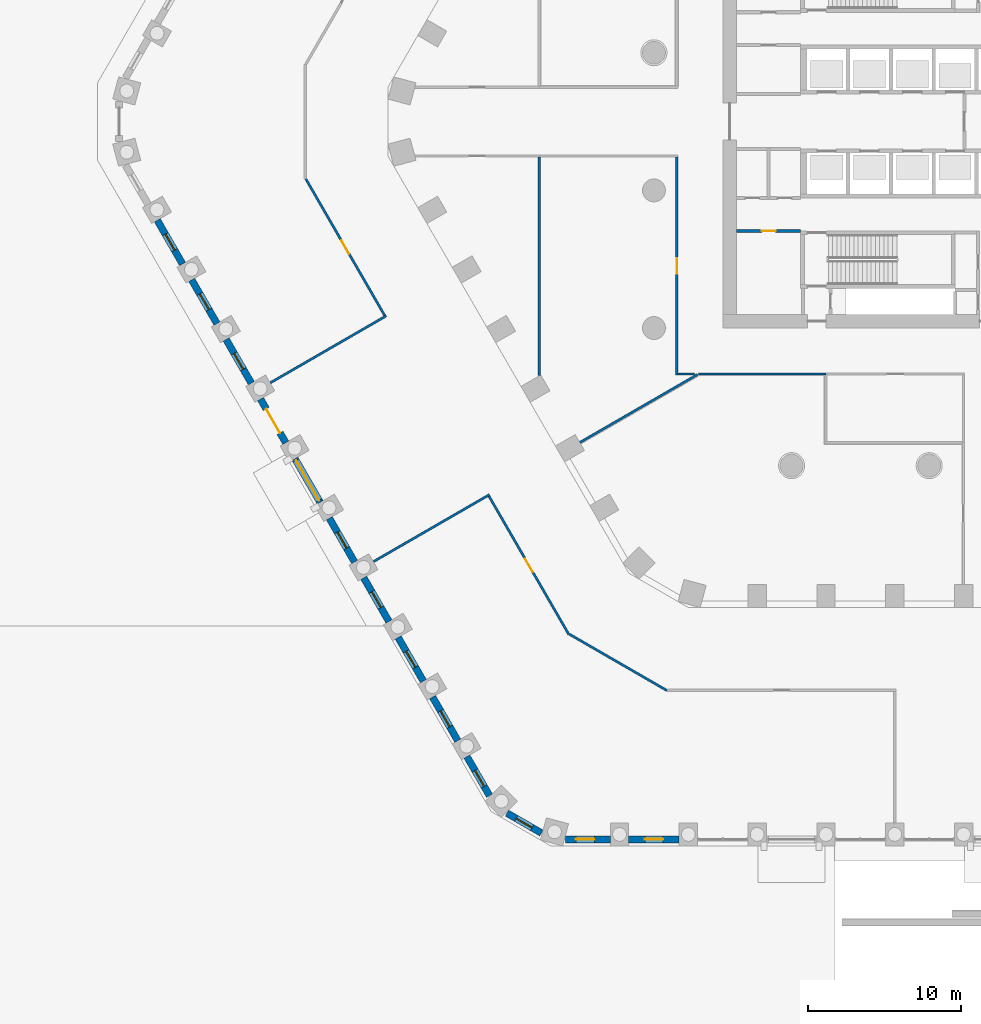
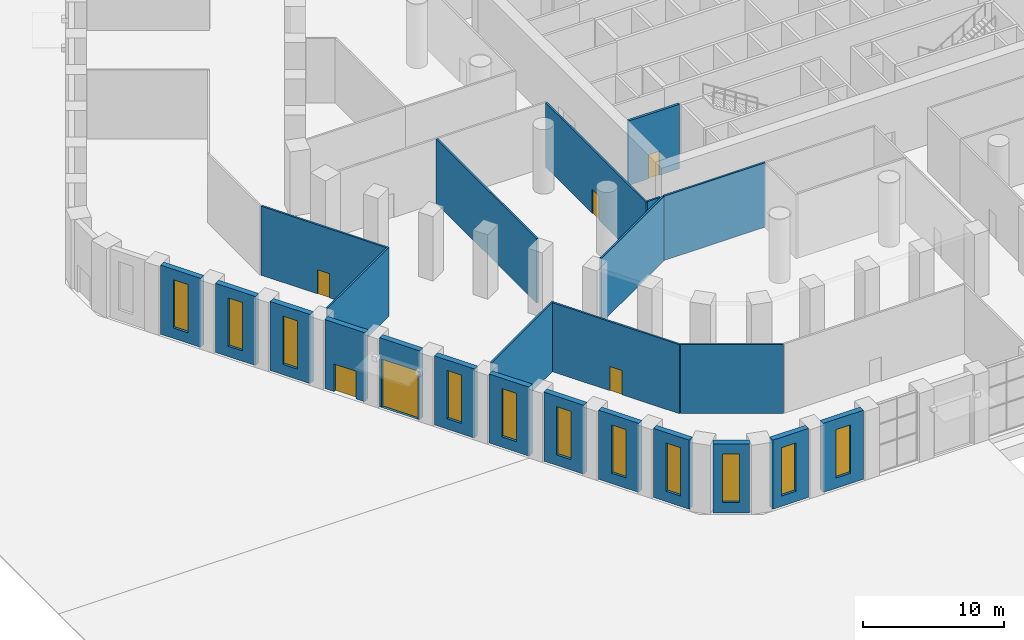
# One storey, part 14 of 44: 24 walls, 11 windows, 6 doors, 17 openings.
"""IFC4 building model written with IfcOpenShell, lengths in metres."""

import ifcopenshell
import ifcopenshell.guid

model = None  # the IFC model being written
_history = None  # IfcOwnerHistory: only IFC2X3 demands one
_inside = {}  # id of a spatial element -> (the spatial element, [elements in it])
_under = {}  # id of a project, library or spatial element -> (it, [spatial elements below it])
_declared = {}  # id of a project -> (the project, [libraries it declares])
_typed = {}  # id of a type object -> (the type object, [elements of that type])
_made_of = {}  # id of a material, layer set ... -> (it, [elements and type objects made of it])


def new_model(schema):
    """Start an empty IFC model of exactly this schema.

    Asked for "IFC4X3", IfcOpenShell would pick the latest addendum, in which some entities
    have other attributes; the version numbers below select the first issue.
    IFC2X3 requires an IfcOwnerHistory on every rooted entity: one is made here for all.
    """
    global model, _history
    if schema == "IFC4X3":
        model = ifcopenshell.file(schema_version=(4, 3, 0, 0))
    else:
        model = ifcopenshell.file(schema=schema)
    _inside.clear()
    _under.clear()
    _declared.clear()
    _typed.clear()
    _made_of.clear()
    _history = None
    if model.schema == "IFC2X3":
        org = make("IfcOrganization", Name="unknown")
        user = make(
            "IfcPersonAndOrganization",
            ThePerson=make("IfcPerson", FamilyName="unknown"),
            TheOrganization=org,
        )
        app = make(
            "IfcApplication",
            ApplicationDeveloper=org,
            Version="unknown",
            ApplicationFullName="unknown",
            ApplicationIdentifier="unknown",
        )
        _history = make(
            "IfcOwnerHistory",
            OwningUser=user,
            OwningApplication=app,
            ChangeAction="ADDED",
            CreationDate=0,
        )
    return model


def make(cls, **values):
    """One entity of the class cls with the attributes given. An attribute that is None is left unset."""
    return model.create_entity(
        cls, **{name: value for name, value in values.items() if value is not None}
    )


def rooted(cls, **values):
    """An entity with a GlobalId (a new one), such as an element, a storey or a relation."""
    return make(cls, GlobalId=ifcopenshell.guid.new(), OwnerHistory=_history, **values)


def si_unit(unit_type, name, prefix=None):
    """IfcSIUnit, for example si_unit("LENGTHUNIT", "METRE", prefix="MILLI")."""
    return make("IfcSIUnit", UnitType=unit_type, Prefix=prefix, Name=name)


def assignment(units):
    """IfcUnitAssignment: the units of a project."""
    return None if units is None else make("IfcUnitAssignment", Units=units)


def point(xyz):
    """IfcCartesianPoint."""
    return None if xyz is None else make("IfcCartesianPoint", Coordinates=xyz)


def direction(xyz):
    """IfcDirection."""
    return None if xyz is None else make("IfcDirection", DirectionRatios=xyz)


def frame(location, z_axis=None, x_axis=None):
    """IfcAxis2Placement3D, a coordinate frame: its origin and axes. An axis left out is left unset."""
    return make(
        "IfcAxis2Placement3D",
        Location=point(location),
        Axis=direction(z_axis),
        RefDirection=direction(x_axis),
    )


def frame_2d(location, x_axis=None):
    """IfcAxis2Placement2D, a coordinate frame in the plane: its origin and x axis."""
    return make(
        "IfcAxis2Placement2D", Location=point(location), RefDirection=direction(x_axis)
    )


def origin():
    """The frame at (0, 0, 0) with its axes left unset."""
    return frame((0.0, 0.0, 0.0))


def place(relative_to, where):
    """IfcLocalPlacement: puts the frame where relative to a parent placement (None: the world)."""
    return make(
        "IfcLocalPlacement", PlacementRelTo=relative_to, RelativePlacement=where
    )


def context(
    kind, dimensions, precision=None, world=None, true_north=None, identifier=None
):
    """IfcGeometricRepresentationContext, for example the 3D "Model" context."""
    return make(
        "IfcGeometricRepresentationContext",
        ContextIdentifier=identifier,
        ContextType=kind,
        CoordinateSpaceDimension=dimensions,
        Precision=precision,
        WorldCoordinateSystem=world,
        TrueNorth=true_north,
    )


def subcontext(parent, identifier, kind, view, scale=None):
    """IfcGeometricRepresentationSubContext, for example "Body" below "Model"."""
    return make(
        "IfcGeometricRepresentationSubContext",
        ContextIdentifier=identifier,
        ContextType=kind,
        ParentContext=parent,
        TargetScale=scale,
        TargetView=view,
    )


def project(units=None, contexts=None):
    """IfcProject with its units and contexts."""
    return rooted(
        "IfcProject",
        Name="project",
        RepresentationContexts=contexts,
        UnitsInContext=assignment(units),
    )


def spatial(cls, under=None, at=None, **own):
    """A site, building, storey or space (cls), placed at a placement, below another one or the project."""
    s = rooted(cls, ObjectPlacement=at, **own)
    if under is not None:
        _under.setdefault(under.id(), (under, []))[1].append(s)
    return s


def profile(cls, at=None, kind="AREA", **sizes):
    """A parametric profile (cls). Its sizes go by their IFC names, for example OverallWidth=200.0."""
    return make(cls, ProfileType=kind, Position=at, **sizes)


def rectangle(**sizes):
    """IfcRectangleProfileDef."""
    return profile("IfcRectangleProfileDef", **sizes)


def extrude(swept, where, along, depth):
    """IfcExtrudedAreaSolid: the profile swept, set in the frame where, extruded along a direction by depth."""
    return make(
        "IfcExtrudedAreaSolid",
        SweptArea=swept,
        Position=where,
        ExtrudedDirection=direction(along),
        Depth=depth,
    )


def shape(context_of_items, identifier, shape_type, items):
    """IfcShapeRepresentation: the items that make up one representation, for example the "Body"."""
    return make(
        "IfcShapeRepresentation",
        ContextOfItems=context_of_items,
        RepresentationIdentifier=identifier,
        RepresentationType=shape_type,
        Items=items,
    )


def material(Name=None, Category=None):
    """IfcMaterial."""
    return make("IfcMaterial", Name=Name, Category=Category)


def layer(
    of_material, thickness, ventilated=None, Name=None, Category=None, Priority=None
):
    """IfcMaterialLayer: one layer of a wall or slab, of a material (None: an air gap)."""
    return make(
        "IfcMaterialLayer",
        Material=of_material,
        LayerThickness=thickness,
        IsVentilated=ventilated,
        Name=Name,
        Category=Category,
        Priority=Priority,
    )


def layer_set(layers, Name=None):
    """IfcMaterialLayerSet."""
    return make("IfcMaterialLayerSet", MaterialLayers=layers, LayerSetName=Name)


def made_of(thing, what):
    """Note that an element or type object is made of a material, layer set ...; save() writes the relation."""
    if what is not None:
        _made_of.setdefault(what.id(), (what, []))[1].append(thing)
    return thing


def type_object(cls, material=None, **own):
    """A type object (cls), such as IfcWallType, which elements share."""
    return made_of(rooted(cls, **own), material)


def element(
    cls,
    number,
    at=None,
    inside=None,
    cuts=None,
    type_object=None,
    material=None,
    context=None,
    identifier="Body",
    shape_type=None,
    held_by="IfcProductDefinitionShape",
    body=None,
    shapes=None,
    **own,
):
    """One element of the class cls, such as IfcWall. Its Tag is "e" and its number.

    at: its placement. inside: the storey or other place that contains it. cuts: it is an
    opening in that element (IfcRelVoidsElement). A single representation is given by context,
    identifier, shape_type and body (its items); several are given by shapes. held_by: the class
    of the entity that holds the representations. save() writes the other relations.
    """
    e = rooted(cls, Tag="e%d" % number, ObjectPlacement=at, **own)
    if body is not None:
        shapes = [shape(context, identifier, shape_type, body)]
    if shapes is not None:
        e.Representation = make(held_by, Representations=shapes)
    if inside is not None:
        _inside.setdefault(inside.id(), (inside, []))[1].append(e)
    if cuts is not None:
        rooted(
            "IfcRelVoidsElement", RelatingBuildingElement=cuts, RelatedOpeningElement=e
        )
    if type_object is not None:
        _typed.setdefault(type_object.id(), (type_object, []))[1].append(e)
    return made_of(e, material)


def fill(opening, filler):
    """IfcRelFillsElement: the door or window that sits in an opening."""
    return rooted(
        "IfcRelFillsElement",
        RelatingOpeningElement=opening,
        RelatedBuildingElement=filler,
    )


def aggregate(whole, parts):
    """IfcRelAggregates: a whole, such as a stair, and the parts it consists of."""
    return rooted("IfcRelAggregates", RelatingObject=whole, RelatedObjects=parts)


def save(model, path):
    """Write the relations noted so far, then the file.

    IfcRelAggregates (storeys below a building ...), IfcRelContainedInSpatialStructure (elements
    in a storey), IfcRelDefinesByType, IfcRelAssociatesMaterial and IfcRelDeclares: one each for
    every whole, place, type object, material and project.
    """
    for whole, parts in _under.values():
        aggregate(whole, parts)
    for where, things in _inside.values():
        rooted(
            "IfcRelContainedInSpatialStructure",
            RelatedElements=things,
            RelatingStructure=where,
        )
    for kind, things in _typed.values():
        rooted("IfcRelDefinesByType", RelatedObjects=things, RelatingType=kind)
    for what, things in _made_of.values():
        rooted("IfcRelAssociatesMaterial", RelatedObjects=things, RelatingMaterial=what)
    for by, libraries in _declared.values():
        rooted("IfcRelDeclares", RelatingContext=by, RelatedDefinitions=libraries)
    model.write(path)


model = new_model("IFC4")

# Units and contexts
model_context = context("Model", 3, precision=1e-05, world=origin(), true_north=direction((0.0, 1.0)))
body_context = subcontext(model_context, "Body", "Model", "MODEL_VIEW")
ifc_project = project(units=[si_unit("LENGTHUNIT", "METRE"), si_unit("AREAUNIT", "SQUARE_METRE"), si_unit("VOLUMEUNIT", "CUBIC_METRE"), si_unit("PLANEANGLEUNIT", "RADIAN"), si_unit("MASSUNIT", "GRAM", prefix="KILO")], contexts=[model_context])

# Site, building, storey
site_placement = place(None, origin())
site = spatial("IfcSite", under=ifc_project, at=site_placement, CompositionType="ELEMENT")
building_placement = place(site_placement, origin())
building = spatial("IfcBuilding", under=site, at=building_placement, Name="Dhurran Vertical Campus", CompositionType="ELEMENT")
storey_placement = place(building_placement, origin())
storey = spatial("IfcBuildingStorey", under=building, at=storey_placement, Name="L00", CompositionType="ELEMENT", Elevation=0.0)

# Wall, opening, window
ifc_material_1 = material(Name="Precast concrete C50/60", Category="concrete")
ifc_layer_1 = layer(ifc_material_1, 0.449951171875)
ifc_layer_set_1 = layer_set([ifc_layer_1], Name="Precast concrete C50/60")
wall_type_1 = type_object("IfcWallType", Name="Precast base wall 450", PredefinedType="SOLIDWALL", material=ifc_layer_set_1)
wall_1_placement = place(storey_placement, frame((-28.299072265625, -46.943359375, 0.0), z_axis=(0.0, 0.0, 1.0), x_axis=(1.0, 0.0, 0.0)))
wall_1 = element("IfcWall", 1, at=wall_1_placement, inside=storey, type_object=wall_type_1, Name="EW2 L00.00", PredefinedType="SOLIDWALL", context=body_context, shape_type="SweptSolid", body=[
    extrude(rectangle(XDim=2.948486328125, YDim=0.449951171875, at=frame_2d((1.47412109375, 0.0))), origin(), (0.0, 0.0, 1.0), 6.0),
])
opening_1_placement = place(wall_1_placement, frame((0.69921875, 0.0, 0.89990234375)))
opening_1 = element("IfcOpeningElement", 2, at=opening_1_placement, cuts=wall_1, Name="Opening WT5", PredefinedType="OPENING", context=body_context, shape_type="SweptSolid", body=[
    extrude(rectangle(XDim=1.199951171875, YDim=4.199951171875, at=frame_2d((0.60009765625, 2.10009765625))), frame((0.0, 0.23486328125, 0.0), z_axis=(0.0, -1.0, 0.0), x_axis=(1.0, 0.0, 0.0)), (0.0, 0.0, 1.0), 0.469970703125),
])
ifc_material_2 = material(Name="Aluminium frame with solar-control glass", Category="aluminium")
window_type = type_object("IfcWindowType", Name="Ring slot window 1200 x 4200", PartitioningType="SINGLE_PANEL", PredefinedType="WINDOW", material=ifc_material_2)
window_1_placement = place(opening_1_placement, origin())
window_1 = element("IfcWindow", 3, at=window_1_placement, inside=storey, type_object=window_type, Name="WT5 L00.00", OverallHeight=4.199951171875, OverallWidth=1.199951171875, PartitioningType="SINGLE_PANEL", PredefinedType="WINDOW", context=body_context, shape_type="SweptSolid", body=[
    extrude(rectangle(XDim=1.199951171875, YDim=4.199951171875, at=frame_2d((0.60009765625, 2.10009765625))), frame((0.0, 0.030029296875, 0.0), z_axis=(0.0, -1.0, 0.0), x_axis=(1.0, 0.0, 0.0)), (0.0, 0.0, 1.0), 0.06005859375),
])
fill(opening_1, window_1)

wall_2_placement = place(storey_placement, frame((-24.1494140625, -46.943359375, 0.0), z_axis=(0.0, 0.0, 1.0), x_axis=(1.0, 0.0, 0.0)))
wall_2 = element("IfcWall", 4, at=wall_2_placement, inside=storey, type_object=wall_type_1, Name="EW2 L00.01", PredefinedType="SOLIDWALL", context=body_context, shape_type="SweptSolid", body=[
    extrude(rectangle(XDim=3.298828125, YDim=0.449951171875, at=frame_2d((1.6494140625, 0.0))), origin(), (0.0, 0.0, 1.0), 6.0),
])
opening_2_placement = place(wall_2_placement, frame((1.049560546875, 0.0, 0.89990234375)))
opening_2 = element("IfcOpeningElement", 5, at=opening_2_placement, cuts=wall_2, Name="Opening WT5", PredefinedType="OPENING", context=body_context, shape_type="SweptSolid", body=[
    extrude(rectangle(XDim=1.199951171875, YDim=4.199951171875, at=frame_2d((0.60009765625, 2.10009765625))), frame((0.0, 0.23486328125, 0.0), z_axis=(0.0, -1.0, 0.0), x_axis=(1.0, 0.0, 0.0)), (0.0, 0.0, 1.0), 0.469970703125),
])
window_2_placement = place(opening_2_placement, origin())
window_2 = element("IfcWindow", 6, at=window_2_placement, inside=storey, type_object=window_type, Name="WT5 L00.01", OverallHeight=4.199951171875, OverallWidth=1.199951171875, PartitioningType="SINGLE_PANEL", PredefinedType="WINDOW", context=body_context, shape_type="SweptSolid", body=[
    extrude(rectangle(XDim=1.199951171875, YDim=4.199951171875, at=frame_2d((0.60009765625, 2.10009765625))), frame((0.0, 0.030029296875, 0.0), z_axis=(0.0, -1.0, 0.0), x_axis=(1.0, 0.0, 0.0)), (0.0, 0.0, 1.0), 0.06005859375),
])
fill(opening_2, window_2)

wall_3_placement = place(storey_placement, frame((-54.978759765625, -6.45458984375, 0.0), z_axis=(0.0, 0.0, 1.0), x_axis=(0.49995947208, -0.866048801325, 0.0)))
wall_3 = element("IfcWall", 7, at=wall_3_placement, inside=storey, type_object=wall_type_1, Name="EW2 L00.65", PredefinedType="SOLIDWALL", context=body_context, shape_type="SweptSolid", body=[
    extrude(rectangle(XDim=3.299072265625, YDim=0.449951171875, at=frame_2d((1.6494140625, 0.0))), origin(), (0.0, 0.0, 1.0), 6.0),
])
opening_3_placement = place(wall_3_placement, frame((1.049560546875, 0.0, 0.89990234375)))
opening_3 = element("IfcOpeningElement", 8, at=opening_3_placement, cuts=wall_3, Name="Opening WT5", PredefinedType="OPENING", context=body_context, shape_type="SweptSolid", body=[
    extrude(rectangle(XDim=1.199951171875, YDim=4.199951171875, at=frame_2d((0.60009765625, 2.10009765625))), frame((0.0, 0.23486328125, 0.0), z_axis=(0.0, -1.0, 0.0), x_axis=(1.0, 0.0, 0.0)), (0.0, 0.0, 1.0), 0.469970703125),
])
window_3_placement = place(opening_3_placement, origin())
window_3 = element("IfcWindow", 9, at=window_3_placement, inside=storey, type_object=window_type, Name="WT5 L00.65", OverallHeight=4.199951171875, OverallWidth=1.199951171875, PartitioningType="SINGLE_PANEL", PredefinedType="WINDOW", context=body_context, shape_type="SweptSolid", body=[
    extrude(rectangle(XDim=1.199951171875, YDim=4.199951171875, at=frame_2d((0.60009765625, 2.10009765625))), frame((0.0, 0.030029296875, 0.0), z_axis=(0.0, -1.0, 0.0), x_axis=(1.0, 0.0, 0.0)), (0.0, 0.0, 1.0), 0.06005859375),
])
fill(opening_3, window_3)

wall_4_placement = place(storey_placement, frame((-52.728759765625, -10.351806640625, 0.0), z_axis=(0.0, 0.0, 1.0), x_axis=(0.499991515992, -0.866030301974, 0.0)))
wall_4 = element("IfcWall", 10, at=wall_4_placement, inside=storey, type_object=wall_type_1, Name="EW2 L00.66", PredefinedType="SOLIDWALL", context=body_context, shape_type="SweptSolid", body=[
    extrude(rectangle(XDim=3.298828125, YDim=0.449951171875, at=frame_2d((1.6494140625, 0.0))), origin(), (0.0, 0.0, 1.0), 6.0),
])
opening_4_placement = place(wall_4_placement, frame((1.049560546875, 0.0, 0.89990234375)))
opening_4 = element("IfcOpeningElement", 11, at=opening_4_placement, cuts=wall_4, Name="Opening WT5", PredefinedType="OPENING", context=body_context, shape_type="SweptSolid", body=[
    extrude(rectangle(XDim=1.199951171875, YDim=4.199951171875, at=frame_2d((0.60009765625, 2.10009765625))), frame((0.0, 0.23486328125, 0.0), z_axis=(0.0, -1.0, 0.0), x_axis=(1.0, 0.0, 0.0)), (0.0, 0.0, 1.0), 0.469970703125),
])
window_4_placement = place(opening_4_placement, origin())
window_4 = element("IfcWindow", 12, at=window_4_placement, inside=storey, type_object=window_type, Name="WT5 L00.66", OverallHeight=4.199951171875, OverallWidth=1.199951171875, PartitioningType="SINGLE_PANEL", PredefinedType="WINDOW", context=body_context, shape_type="SweptSolid", body=[
    extrude(rectangle(XDim=1.199951171875, YDim=4.199951171875, at=frame_2d((0.60009765625, 2.10009765625))), frame((0.0, 0.030029296875, 0.0), z_axis=(0.0, -1.0, 0.0), x_axis=(1.0, 0.0, 0.0)), (0.0, 0.0, 1.0), 0.06005859375),
])
fill(opening_4, window_4)

wall_5_placement = place(storey_placement, frame((-50.478759765625, -14.248779296875, 0.0), z_axis=(0.0, 0.0, 1.0), x_axis=(0.49995947208, -0.866048801325, 0.0)))
wall_5 = element("IfcWall", 13, at=wall_5_placement, inside=storey, type_object=wall_type_1, Name="EW2 L00.67", PredefinedType="SOLIDWALL", context=body_context, shape_type="SweptSolid", body=[
    extrude(rectangle(XDim=3.299072265625, YDim=0.449951171875, at=frame_2d((1.6494140625, 0.0))), origin(), (0.0, 0.0, 1.0), 6.0),
])
opening_5_placement = place(wall_5_placement, frame((1.049560546875, 0.0, 0.89990234375)))
opening_5 = element("IfcOpeningElement", 14, at=opening_5_placement, cuts=wall_5, Name="Opening WT5", PredefinedType="OPENING", context=body_context, shape_type="SweptSolid", body=[
    extrude(rectangle(XDim=1.199951171875, YDim=4.199951171875, at=frame_2d((0.60009765625, 2.10009765625))), frame((0.0, 0.23486328125, 0.0), z_axis=(0.0, -1.0, 0.0), x_axis=(1.0, 0.0, 0.0)), (0.0, 0.0, 1.0), 0.469970703125),
])
window_5_placement = place(opening_5_placement, origin())
window_5 = element("IfcWindow", 15, at=window_5_placement, inside=storey, type_object=window_type, Name="WT5 L00.67", OverallHeight=4.199951171875, OverallWidth=1.199951171875, PartitioningType="SINGLE_PANEL", PredefinedType="WINDOW", context=body_context, shape_type="SweptSolid", body=[
    extrude(rectangle(XDim=1.199951171875, YDim=4.199951171875, at=frame_2d((0.60009765625, 2.10009765625))), frame((0.0, 0.030029296875, 0.0), z_axis=(0.0, -1.0, 0.0), x_axis=(1.0, 0.0, 0.0)), (0.0, 0.0, 1.0), 0.06005859375),
])
fill(opening_5, window_5)

# Wall, opening, door
wall_6_placement = place(storey_placement, frame((-46.579345703125, -21.0029296875, 0.0), z_axis=(0.0, 0.0, 1.0), x_axis=(-0.499991515992, 0.866030301974, 0.0)))
wall_6 = element("IfcWall", 16, at=wall_6_placement, inside=storey, type_object=wall_type_1, Name="EW2 L00.68", PredefinedType="SOLIDWALL", context=body_context, shape_type="SweptSolid", body=[
    extrude(rectangle(XDim=3.298828125, YDim=0.449951171875, at=frame_2d((1.6494140625, 0.0))), origin(), (0.0, 0.0, 1.0), 6.0),
])
opening_6_placement = place(wall_6_placement, frame((0.74951171875, 0.0, 0.0)))
opening_6 = element("IfcOpeningElement", 17, at=opening_6_placement, cuts=wall_6, Name="Opening D010", PredefinedType="OPENING", context=body_context, shape_type="SweptSolid", body=[
    extrude(rectangle(XDim=1.800048828125, YDim=2.39990234375, at=frame_2d((0.89990234375, 1.199951171875))), frame((0.0, 0.23486328125, 0.0), z_axis=(0.0, -1.0, 0.0), x_axis=(1.0, 0.0, 0.0)), (0.0, 0.0, 1.0), 0.469970703125),
])
ifc_material_3 = material(Name="Steel, fire-rated", Category="steel")
door_type_1 = type_object("IfcDoorType", Name="Steel fire exit door pair 1800 x 2400", OperationType="DOUBLE_DOOR_SINGLE_SWING", PredefinedType="DOOR", material=ifc_material_3)
door_1_placement = place(opening_6_placement, origin())
door_1 = element("IfcDoor", 18, at=door_1_placement, inside=storey, type_object=door_type_1, Name="D010 stair exit discharge", OperationType="DOUBLE_DOOR_SINGLE_SWING", OverallHeight=2.39990234375, OverallWidth=1.800048828125, PredefinedType="DOOR", context=body_context, shape_type="SweptSolid", body=[
    extrude(rectangle(XDim=1.800048828125, YDim=2.39990234375, at=frame_2d((0.89990234375, 1.199951171875))), frame((0.0, 0.02490234375, 0.0), z_axis=(0.0, -1.0, 0.0), x_axis=(1.0, 0.0, 0.0)), (0.0, 0.0, 1.0), 0.050048828125),
])
fill(opening_6, door_1)

wall_7_placement = place(storey_placement, frame((-44.329345703125, -24.900146484375, 0.0), z_axis=(0.0, 0.0, 1.0), x_axis=(-0.499991515992, 0.866030301974, 0.0)))
wall_7 = element("IfcWall", 19, at=wall_7_placement, inside=storey, type_object=wall_type_1, Name="EW2 L00.69", PredefinedType="SOLIDWALL", context=body_context, shape_type="SweptSolid", body=[
    extrude(rectangle(XDim=3.298828125, YDim=0.449951171875, at=frame_2d((1.6494140625, 0.0))), origin(), (0.0, 0.0, 1.0), 6.0),
])
opening_7_placement = place(wall_7_placement, frame((0.1494140625, 0.0, 0.0)))
opening_7 = element("IfcOpeningElement", 20, at=opening_7_placement, cuts=wall_7, Name="Opening D013", PredefinedType="OPENING", context=body_context, shape_type="SweptSolid", body=[
    extrude(rectangle(XDim=3.0, YDim=4.199951171875, at=frame_2d((1.5, 2.10009765625))), frame((0.0, 0.23486328125, 0.0), z_axis=(0.0, -1.0, 0.0), x_axis=(1.0, 0.0, 0.0)), (0.0, 0.0, 1.0), 0.469970703125),
])
ifc_material_4 = material(Name="Aluminium and clear glass", Category="aluminium")
door_type_2 = type_object("IfcDoorType", Name="Aluminium and glass entrance portal door pair 3000 x 4200", OperationType="DOUBLE_DOOR_SINGLE_SWING", PredefinedType="DOOR", material=ifc_material_4)
door_2_placement = place(opening_7_placement, origin())
door_2 = element("IfcDoor", 21, at=door_2_placement, inside=storey, type_object=door_type_2, Name="D013 south-west lobby entrance", OperationType="DOUBLE_DOOR_SINGLE_SWING", OverallHeight=4.199951171875, OverallWidth=3.0, PredefinedType="DOOR", context=body_context, shape_type="SweptSolid", body=[
    extrude(rectangle(XDim=3.0, YDim=4.199951171875, at=frame_2d((1.5, 2.10009765625))), frame((0.0, 0.02490234375, 0.0), z_axis=(0.0, -1.0, 0.0), x_axis=(1.0, 0.0, 0.0)), (0.0, 0.0, 1.0), 0.050048828125),
])
fill(opening_7, door_2)

# Wall, opening, window
wall_8_placement = place(storey_placement, frame((-43.728759765625, -25.940185546875, 0.0), z_axis=(0.0, 0.0, 1.0), x_axis=(0.49995947208, -0.866048801325, 0.0)))
wall_8 = element("IfcWall", 22, at=wall_8_placement, inside=storey, type_object=wall_type_1, Name="EW2 L00.70", PredefinedType="SOLIDWALL", context=body_context, shape_type="SweptSolid", body=[
    extrude(rectangle(XDim=3.299072265625, YDim=0.449951171875, at=frame_2d((1.6494140625, 0.0))), origin(), (0.0, 0.0, 1.0), 6.0),
])
opening_8_placement = place(wall_8_placement, frame((1.049560546875, 0.0, 0.89990234375)))
opening_8 = element("IfcOpeningElement", 23, at=opening_8_placement, cuts=wall_8, Name="Opening WT5", PredefinedType="OPENING", context=body_context, shape_type="SweptSolid", body=[
    extrude(rectangle(XDim=1.199951171875, YDim=4.199951171875, at=frame_2d((0.60009765625, 2.10009765625))), frame((0.0, 0.23486328125, 0.0), z_axis=(0.0, -1.0, 0.0), x_axis=(1.0, 0.0, 0.0)), (0.0, 0.0, 1.0), 0.469970703125),
])
window_6_placement = place(opening_8_placement, origin())
window_6 = element("IfcWindow", 24, at=window_6_placement, inside=storey, type_object=window_type, Name="WT5 L00.70", OverallHeight=4.199951171875, OverallWidth=1.199951171875, PartitioningType="SINGLE_PANEL", PredefinedType="WINDOW", context=body_context, shape_type="SweptSolid", body=[
    extrude(rectangle(XDim=1.199951171875, YDim=4.199951171875, at=frame_2d((0.60009765625, 2.10009765625))), frame((0.0, 0.030029296875, 0.0), z_axis=(0.0, -1.0, 0.0), x_axis=(1.0, 0.0, 0.0)), (0.0, 0.0, 1.0), 0.06005859375),
])
fill(opening_8, window_6)

wall_9_placement = place(storey_placement, frame((-41.478759765625, -29.83740234375, 0.0), z_axis=(0.0, 0.0, 1.0), x_axis=(0.499991515992, -0.866030301974, 0.0)))
wall_9 = element("IfcWall", 25, at=wall_9_placement, inside=storey, type_object=wall_type_1, Name="EW2 L00.71", PredefinedType="SOLIDWALL", context=body_context, shape_type="SweptSolid", body=[
    extrude(rectangle(XDim=3.298828125, YDim=0.449951171875, at=frame_2d((1.6494140625, 0.0))), origin(), (0.0, 0.0, 1.0), 6.0),
])
opening_9_placement = place(wall_9_placement, frame((1.049560546875, 0.0, 0.89990234375)))
opening_9 = element("IfcOpeningElement", 26, at=opening_9_placement, cuts=wall_9, Name="Opening WT5", PredefinedType="OPENING", context=body_context, shape_type="SweptSolid", body=[
    extrude(rectangle(XDim=1.199951171875, YDim=4.199951171875, at=frame_2d((0.60009765625, 2.10009765625))), frame((0.0, 0.23486328125, 0.0), z_axis=(0.0, -1.0, 0.0), x_axis=(1.0, 0.0, 0.0)), (0.0, 0.0, 1.0), 0.469970703125),
])
window_7_placement = place(opening_9_placement, origin())
window_7 = element("IfcWindow", 27, at=window_7_placement, inside=storey, type_object=window_type, Name="WT5 L00.71", OverallHeight=4.199951171875, OverallWidth=1.199951171875, PartitioningType="SINGLE_PANEL", PredefinedType="WINDOW", context=body_context, shape_type="SweptSolid", body=[
    extrude(rectangle(XDim=1.199951171875, YDim=4.199951171875, at=frame_2d((0.60009765625, 2.10009765625))), frame((0.0, 0.030029296875, 0.0), z_axis=(0.0, -1.0, 0.0), x_axis=(1.0, 0.0, 0.0)), (0.0, 0.0, 1.0), 0.06005859375),
])
fill(opening_9, window_7)

wall_10_placement = place(storey_placement, frame((-39.228759765625, -33.734619140625, 0.0), z_axis=(0.0, 0.0, 1.0), x_axis=(0.499991515992, -0.866030301974, 0.0)))
wall_10 = element("IfcWall", 28, at=wall_10_placement, inside=storey, type_object=wall_type_1, Name="EW2 L00.72", PredefinedType="SOLIDWALL", context=body_context, shape_type="SweptSolid", body=[
    extrude(rectangle(XDim=3.298828125, YDim=0.449951171875, at=frame_2d((1.6494140625, 0.0))), origin(), (0.0, 0.0, 1.0), 6.0),
])
opening_10_placement = place(wall_10_placement, frame((1.049560546875, 0.0, 0.89990234375)))
opening_10 = element("IfcOpeningElement", 29, at=opening_10_placement, cuts=wall_10, Name="Opening WT5", PredefinedType="OPENING", context=body_context, shape_type="SweptSolid", body=[
    extrude(rectangle(XDim=1.199951171875, YDim=4.199951171875, at=frame_2d((0.60009765625, 2.10009765625))), frame((0.0, 0.23486328125, 0.0), z_axis=(0.0, -1.0, 0.0), x_axis=(1.0, 0.0, 0.0)), (0.0, 0.0, 1.0), 0.469970703125),
])
window_8_placement = place(opening_10_placement, origin())
window_8 = element("IfcWindow", 30, at=window_8_placement, inside=storey, type_object=window_type, Name="WT5 L00.72", OverallHeight=4.199951171875, OverallWidth=1.199951171875, PartitioningType="SINGLE_PANEL", PredefinedType="WINDOW", context=body_context, shape_type="SweptSolid", body=[
    extrude(rectangle(XDim=1.199951171875, YDim=4.199951171875, at=frame_2d((0.60009765625, 2.10009765625))), frame((0.0, 0.030029296875, 0.0), z_axis=(0.0, -1.0, 0.0), x_axis=(1.0, 0.0, 0.0)), (0.0, 0.0, 1.0), 0.06005859375),
])
fill(opening_10, window_8)

wall_11_placement = place(storey_placement, frame((-36.978759765625, -37.631591796875, 0.0), z_axis=(0.0, 0.0, 1.0), x_axis=(0.499991515992, -0.866030301974, 0.0)))
wall_11 = element("IfcWall", 31, at=wall_11_placement, inside=storey, type_object=wall_type_1, Name="EW2 L00.73", PredefinedType="SOLIDWALL", context=body_context, shape_type="SweptSolid", body=[
    extrude(rectangle(XDim=3.298828125, YDim=0.449951171875, at=frame_2d((1.6494140625, 0.0))), origin(), (0.0, 0.0, 1.0), 6.0),
])
opening_11_placement = place(wall_11_placement, frame((1.049560546875, 0.0, 0.89990234375)))
opening_11 = element("IfcOpeningElement", 32, at=opening_11_placement, cuts=wall_11, Name="Opening WT5", PredefinedType="OPENING", context=body_context, shape_type="SweptSolid", body=[
    extrude(rectangle(XDim=1.199951171875, YDim=4.199951171875, at=frame_2d((0.60009765625, 2.10009765625))), frame((0.0, 0.23486328125, 0.0), z_axis=(0.0, -1.0, 0.0), x_axis=(1.0, 0.0, 0.0)), (0.0, 0.0, 1.0), 0.469970703125),
])
window_9_placement = place(opening_11_placement, origin())
window_9 = element("IfcWindow", 33, at=window_9_placement, inside=storey, type_object=window_type, Name="WT5 L00.73", OverallHeight=4.199951171875, OverallWidth=1.199951171875, PartitioningType="SINGLE_PANEL", PredefinedType="WINDOW", context=body_context, shape_type="SweptSolid", body=[
    extrude(rectangle(XDim=1.199951171875, YDim=4.199951171875, at=frame_2d((0.60009765625, 2.10009765625))), frame((0.0, 0.030029296875, 0.0), z_axis=(0.0, -1.0, 0.0), x_axis=(1.0, 0.0, 0.0)), (0.0, 0.0, 1.0), 0.06005859375),
])
fill(opening_11, window_9)

wall_12_placement = place(storey_placement, frame((-34.728759765625, -41.52880859375, 0.0), z_axis=(0.0, 0.0, 1.0), x_axis=(0.500030648271, -0.866007708274, 0.0)))
wall_12 = element("IfcWall", 34, at=wall_12_placement, inside=storey, type_object=wall_type_1, Name="EW2 L00.74", PredefinedType="SOLIDWALL", context=body_context, shape_type="SweptSolid", body=[
    extrude(rectangle(XDim=2.948486328125, YDim=0.449951171875, at=frame_2d((1.47412109375, 0.0))), origin(), (0.0, 0.0, 1.0), 6.0),
])
opening_12_placement = place(wall_12_placement, frame((1.049560546875, 0.0, 0.89990234375)))
opening_12 = element("IfcOpeningElement", 35, at=opening_12_placement, cuts=wall_12, Name="Opening WT5", PredefinedType="OPENING", context=body_context, shape_type="SweptSolid", body=[
    extrude(rectangle(XDim=1.199951171875, YDim=4.199951171875, at=frame_2d((0.60009765625, 2.10009765625))), frame((0.0, 0.23486328125, 0.0), z_axis=(0.0, -1.0, 0.0), x_axis=(1.0, 0.0, 0.0)), (0.0, 0.0, 1.0), 0.469970703125),
])
window_10_placement = place(opening_12_placement, origin())
window_10 = element("IfcWindow", 36, at=window_10_placement, inside=storey, type_object=window_type, Name="WT5 L00.74", OverallHeight=4.199951171875, OverallWidth=1.199951171875, PartitioningType="SINGLE_PANEL", PredefinedType="WINDOW", context=body_context, shape_type="SweptSolid", body=[
    extrude(rectangle(XDim=1.199951171875, YDim=4.199951171875, at=frame_2d((0.60009765625, 2.10009765625))), frame((0.0, 0.030029296875, 0.0), z_axis=(0.0, -1.0, 0.0), x_axis=(1.0, 0.0, 0.0)), (0.0, 0.0, 1.0), 0.06005859375),
])
fill(opening_12, window_10)

wall_13_placement = place(storey_placement, frame((-32.111083984375, -45.2255859375, 0.0), z_axis=(0.0, 0.0, 1.0), x_axis=(0.866019710441, -0.50000986103, 0.0)))
wall_13 = element("IfcWall", 37, at=wall_13_placement, inside=storey, type_object=wall_type_1, Name="EW2 L00.75", PredefinedType="SOLIDWALL", context=body_context, shape_type="SweptSolid", body=[
    extrude(rectangle(XDim=2.59814453125, YDim=0.449951171875, at=frame_2d((1.299072265625, 0.0))), origin(), (0.0, 0.0, 1.0), 6.0),
])
opening_13_placement = place(wall_13_placement, frame((0.69921875, 0.0, 0.89990234375)))
opening_13 = element("IfcOpeningElement", 38, at=opening_13_placement, cuts=wall_13, Name="Opening WT5", PredefinedType="OPENING", context=body_context, shape_type="SweptSolid", body=[
    extrude(rectangle(XDim=1.199951171875, YDim=4.199951171875, at=frame_2d((0.60009765625, 2.10009765625))), frame((0.0, 0.23486328125, 0.0), z_axis=(0.0, -1.0, 0.0), x_axis=(1.0, 0.0, 0.0)), (0.0, 0.0, 1.0), 0.469970703125),
])
window_11_placement = place(opening_13_placement, origin())
window_11 = element("IfcWindow", 39, at=window_11_placement, inside=storey, type_object=window_type, Name="WT5 L00.75", OverallHeight=4.199951171875, OverallWidth=1.199951171875, PartitioningType="SINGLE_PANEL", PredefinedType="WINDOW", context=body_context, shape_type="SweptSolid", body=[
    extrude(rectangle(XDim=1.199951171875, YDim=4.199951171875, at=frame_2d((0.60009765625, 2.10009765625))), frame((0.0, 0.030029296875, 0.0), z_axis=(0.0, -1.0, 0.0), x_axis=(1.0, 0.0, 0.0)), (0.0, 0.0, 1.0), 0.06005859375),
])
fill(opening_13, window_11)

# Wall, opening, door
ifc_material_5 = material(Name="Fire-rated masonry blockwork", Category="masonry")
ifc_layer_2 = layer(ifc_material_5, 0.199951171875)
ifc_layer_set_2 = layer_set([ifc_layer_2], Name="Fire-rated masonry blockwork")
wall_type_2 = type_object("IfcWallType", Name="co-FIRE-PARTITION-200", PredefinedType="PARTITIONING", material=ifc_layer_set_2)
wall_14_placement = place(storey_placement, frame((-17.10009765625, -7.14990234375, 0.0), z_axis=(0.0, 0.0, 1.0), x_axis=(1.0, 0.0, 0.0)))
wall_14 = element("IfcWall", 40, at=wall_14_placement, inside=storey, type_object=wall_type_2, Name="Core partition en-SW-w L00", PredefinedType="PARTITIONING", context=body_context, shape_type="SweptSolid", body=[
    extrude(rectangle(XDim=4.2001953125, YDim=0.199951171875, at=frame_2d((2.10009765625, 0.0))), origin(), (0.0, 0.0, 1.0), 5.60009765625),
])
opening_14_placement = place(wall_14_placement, frame((1.64990234375, 0.0, 0.0)))
opening_14 = element("IfcOpeningElement", 41, at=opening_14_placement, cuts=wall_14, Name="Opening PD00-C19", PredefinedType="OPENING", context=body_context, shape_type="SweptSolid", body=[
    extrude(rectangle(XDim=0.89990234375, YDim=2.10009765625, at=frame_2d((0.449951171875, 1.050048828125))), frame((0.0, 0.10986328125, 0.0), z_axis=(0.0, -1.0, 0.0), x_axis=(1.0, 0.0, 0.0)), (0.0, 0.0, 1.0), 0.219970703125),
])
ifc_material_6 = material(Name="Fire-rated timber door set", Category="wood")
door_type_3 = type_object("IfcDoorType", Name="co-D-ROOM 900x2100", OperationType="SINGLE_SWING_LEFT", PredefinedType="DOOR", material=ifc_material_6)
door_3_placement = place(opening_14_placement, origin())
door_3 = element("IfcDoor", 42, at=door_3_placement, inside=storey, type_object=door_type_3, Name="Waste room door L00", OperationType="SINGLE_SWING_LEFT", OverallHeight=2.10009765625, OverallWidth=0.89990234375, PredefinedType="DOOR", context=body_context, shape_type="SweptSolid", body=[
    extrude(rectangle(XDim=0.89990234375, YDim=2.10009765625, at=frame_2d((0.449951171875, 1.050048828125))), frame((0.0, 0.02490234375, 0.0), z_axis=(0.0, -1.0, 0.0), x_axis=(1.0, 0.0, 0.0)), (0.0, 0.0, 1.0), 0.050048828125),
])
fill(opening_14, door_3)

# Wall
ifc_material_7 = material(Name="Gypsum board corridor wall on steel studs", Category="steel")
ifc_layer_3 = layer(ifc_material_7, 0.14990234375)
ifc_layer_set_3 = layer_set([ifc_layer_3], Name="Gypsum board corridor wall on steel studs")
wall_type_3 = type_object("IfcWallType", Name="fl-CW-150 corridor wall", PredefinedType="PARTITIONING", material=ifc_layer_set_3)
wall_15_placement = place(storey_placement, frame((-47.580810546875, -17.078125, 0.0), z_axis=(0.0, 0.0, 1.0), x_axis=(0.866024693403, 0.500001230415, 0.0)))
element("IfcWall", 43, at=wall_15_placement, inside=storey, type_object=wall_type_3, Name="Partition 00-01", PredefinedType="PARTITIONING", context=body_context, shape_type="SweptSolid", body=[
    extrude(rectangle(XDim=8.7431640625, YDim=0.14990234375, at=frame_2d((4.37158203125, 0.0))), origin(), (0.0, 0.0, 1.0), 6.0),
])

# Wall, opening, door
wall_16_placement = place(storey_placement, frame((-40.111572265625, -12.678955078125, 0.0), z_axis=(0.0, 0.0, 1.0), x_axis=(-0.499979704663, 0.866037120986, 0.0)))
wall_16 = element("IfcWall", 44, at=wall_16_placement, inside=storey, type_object=wall_type_3, Name="Partition 00-04", PredefinedType="PARTITIONING", context=body_context, shape_type="SweptSolid", body=[
    extrude(rectangle(XDim=10.29638671875, YDim=0.14990234375, at=frame_2d((5.148193359375, 0.0))), origin(), (0.0, 0.0, 1.0), 6.0),
])
opening_15_placement = place(wall_16_placement, frame((4.648193359375, 0.0, 0.0)))
opening_15 = element("IfcOpeningElement", 45, at=opening_15_placement, cuts=wall_16, Name="Opening PD00.11", PredefinedType="OPENING", context=body_context, shape_type="SweptSolid", body=[
    extrude(rectangle(XDim=1.0, YDim=2.10009765625, at=frame_2d((0.5, 1.050048828125))), frame((0.0, 0.0849609375, 0.0), z_axis=(0.0, -1.0, 0.0), x_axis=(1.0, 0.0, 0.0)), (0.0, 0.0, 1.0), 0.169921875),
])
ifc_material_8 = material(Name="Solid-core timber door set, fire-rated", Category="wood")
door_type_4 = type_object("IfcDoorType", Name="fl-D-1000x2100", OperationType="SINGLE_SWING_LEFT", PredefinedType="DOOR", material=ifc_material_8)
door_4_placement = place(opening_15_placement, origin())
door_4 = element("IfcDoor", 46, at=door_4_placement, inside=storey, type_object=door_type_4, Name="Door 00.11", OperationType="SINGLE_SWING_LEFT", OverallHeight=2.10009765625, OverallWidth=1.0, PredefinedType="DOOR", context=body_context, shape_type="SweptSolid", body=[
    extrude(rectangle(XDim=1.0, YDim=2.10009765625, at=frame_2d((0.5, 1.050048828125))), frame((0.0, 0.02490234375, 0.0), z_axis=(0.0, -1.0, 0.0), x_axis=(1.0, 0.0, 0.0)), (0.0, 0.0, 1.0), 0.050048828125),
])
fill(opening_15, door_4)

# Wall
wall_17_placement = place(storey_placement, frame((-33.259033203125, -24.3984375, 0.0), z_axis=(0.0, 0.0, 1.0), x_axis=(-0.866017712198, -0.500013321982, 0.0)))
element("IfcWall", 47, at=wall_17_placement, inside=storey, type_object=wall_type_3, Name="Partition 00-06", PredefinedType="PARTITIONING", context=body_context, shape_type="SweptSolid", body=[
    extrude(rectangle(XDim=8.742919921875, YDim=0.14990234375, at=frame_2d((4.37158203125, 0.0))), origin(), (0.0, 0.0, 1.0), 6.0),
])

# Wall, opening, door
wall_18_placement = place(storey_placement, frame((-28.0625, -33.5478515625, 0.0), z_axis=(0.0, 0.0, 1.0), x_axis=(-0.500064997195, 0.865987874384, 0.0)))
wall_18 = element("IfcWall", 48, at=wall_18_placement, inside=storey, type_object=wall_type_3, Name="Partition 00-10", PredefinedType="PARTITIONING", context=body_context, shape_type="SweptSolid", body=[
    extrude(rectangle(XDim=10.44677734375, YDim=0.14990234375, at=frame_2d((5.223388671875, 0.0))), origin(), (0.0, 0.0, 1.0), 6.0),
])
opening_16_placement = place(wall_18_placement, frame((4.723388671875, 0.0, 0.0)))
opening_16 = element("IfcOpeningElement", 49, at=opening_16_placement, cuts=wall_18, Name="Opening PD00.02", PredefinedType="OPENING", context=body_context, shape_type="SweptSolid", body=[
    extrude(rectangle(XDim=1.0, YDim=2.10009765625, at=frame_2d((0.5, 1.050048828125))), frame((0.0, 0.0849609375, 0.0), z_axis=(0.0, -1.0, 0.0), x_axis=(1.0, 0.0, 0.0)), (0.0, 0.0, 1.0), 0.169921875),
])
door_5_placement = place(opening_16_placement, origin())
door_5 = element("IfcDoor", 50, at=door_5_placement, inside=storey, type_object=door_type_4, Name="Door 00.02", OperationType="SINGLE_SWING_RIGHT", OverallHeight=2.10009765625, OverallWidth=1.0, PredefinedType="DOOR", context=body_context, shape_type="SweptSolid", body=[
    extrude(rectangle(XDim=1.0, YDim=2.10009765625, at=frame_2d((0.5, 1.050048828125))), frame((0.0, 0.02490234375, 0.0), z_axis=(0.0, -1.0, 0.0), x_axis=(1.0, 0.0, 0.0)), (0.0, 0.0, 1.0), 0.050048828125),
])
fill(opening_16, door_5)

# Wall
wall_19_placement = place(storey_placement, frame((-21.657958984375, -37.202392578125, 0.0), z_axis=(0.0, 0.0, 1.0), x_axis=(-0.866011067739, 0.500024829938, 0.0)))
element("IfcWall", 51, at=wall_19_placement, inside=storey, type_object=wall_type_3, Name="Partition 00-18", PredefinedType="PARTITIONING", context=body_context, shape_type="SweptSolid", body=[
    extrude(rectangle(XDim=7.338623046875, YDim=0.14990234375, at=frame_2d((3.66943359375, 0.0))), origin(), (0.0, 0.0, 1.0), 6.0),
])

# Wall, opening, door
wall_20_placement = place(storey_placement, frame((-21.0, -2.324951171875, 0.0), z_axis=(0.0, 0.0, 1.0), x_axis=(0.0, -1.0, 0.0)))
wall_20 = element("IfcWall", 52, at=wall_20_placement, inside=storey, type_object=wall_type_3, Name="Partition 00-23", PredefinedType="PARTITIONING", context=body_context, shape_type="SweptSolid", body=[
    extrude(rectangle(XDim=14.25, YDim=0.14990234375, at=frame_2d((7.125, 0.0))), origin(), (0.0, 0.0, 1.0), 5.60009765625),
])
opening_17_placement = place(wall_20_placement, frame((6.625, 0.0, 0.0)))
opening_17 = element("IfcOpeningElement", 53, at=opening_17_placement, cuts=wall_20, Name="Opening PD00.15", PredefinedType="OPENING", context=body_context, shape_type="SweptSolid", body=[
    extrude(rectangle(XDim=1.0, YDim=2.10009765625, at=frame_2d((0.5, 1.050048828125))), frame((0.0, 0.0849609375, 0.0), z_axis=(0.0, -1.0, 0.0), x_axis=(1.0, 0.0, 0.0)), (0.0, 0.0, 1.0), 0.169921875),
])
door_6_placement = place(opening_17_placement, origin())
door_6 = element("IfcDoor", 54, at=door_6_placement, inside=storey, type_object=door_type_4, Name="Door 00.15", OperationType="SINGLE_SWING_RIGHT", OverallHeight=2.10009765625, OverallWidth=1.0, PredefinedType="DOOR", context=body_context, shape_type="SweptSolid", body=[
    extrude(rectangle(XDim=1.0, YDim=2.10009765625, at=frame_2d((0.5, 1.050048828125))), frame((0.0, 0.02490234375, 0.0), z_axis=(0.0, -1.0, 0.0), x_axis=(1.0, 0.0, 0.0)), (0.0, 0.0, 1.0), 0.050048828125),
])
fill(opening_17, door_6)

# Walls
wall_21_placement = place(storey_placement, frame((-20.925048828125, -16.5, 0.0), z_axis=(0.0, 0.0, 1.0), x_axis=(1.0, 0.0, 0.0)))
element("IfcWall", 55, at=wall_21_placement, inside=storey, type_object=wall_type_3, Name="Partition 00-24", PredefinedType="PARTITIONING", context=body_context, shape_type="SweptSolid", body=[
    extrude(rectangle(XDim=1.071044921875, YDim=0.14990234375, at=frame_2d((0.53564453125, 0.0))), origin(), (0.0, 0.0, 1.0), 5.60009765625),
])
wall_22_placement = place(storey_placement, frame((-19.5791015625, -16.5, 0.0), z_axis=(0.0, 0.0, 1.0), x_axis=(1.0, 0.0, 0.0)))
element("IfcWall", 56, at=wall_22_placement, inside=storey, type_object=wall_type_3, Name="Partition 00-27", PredefinedType="PARTITIONING", context=body_context, shape_type="SweptSolid", body=[
    extrude(rectangle(XDim=8.3291015625, YDim=0.14990234375, at=frame_2d((4.16455078125, 0.0))), origin(), (0.0, 0.0, 1.0), 5.60009765625),
])
ifc_material_9 = material(Name="Gypsum board partition on steel studs", Category="steel")
ifc_layer_4 = layer(ifc_material_9, 0.14990234375)
ifc_layer_set_4 = layer_set([ifc_layer_4], Name="Gypsum board partition on steel studs")
wall_type_4 = type_object("IfcWallType", Name="fl-PW-150 fixed partition", PredefinedType="PARTITIONING", material=ifc_layer_set_4)
wall_23_placement = place(storey_placement, frame((-30.0, -2.324951171875, 0.0), z_axis=(0.0, 0.0, 1.0), x_axis=(0.0, -1.0, 0.0)))
element("IfcWall", 57, at=wall_23_placement, inside=storey, type_object=wall_type_4, Name="Partition 00-13", PredefinedType="PARTITIONING", context=body_context, shape_type="SweptSolid", body=[
    extrude(rectangle(XDim=14.279541015625, YDim=0.14990234375, at=frame_2d((7.1396484375, 0.0))), origin(), (0.0, 0.0, 1.0), 5.60009765625),
])
wall_24_placement = place(storey_placement, frame((-19.643798828125, -16.53759765625, 0.0), z_axis=(0.0, 0.0, 1.0), x_axis=(-0.866000072607, -0.50004387232, 0.0)))
element("IfcWall", 58, at=wall_24_placement, inside=storey, type_object=wall_type_4, Name="Partition 00-17", PredefinedType="PARTITIONING", context=body_context, shape_type="SweptSolid", body=[
    extrude(rectangle(XDim=8.876220703125, YDim=0.14990234375, at=frame_2d((4.43798828125, 0.0))), origin(), (0.0, 0.0, 1.0), 5.60009765625),
])

save(model, "model.ifc")
